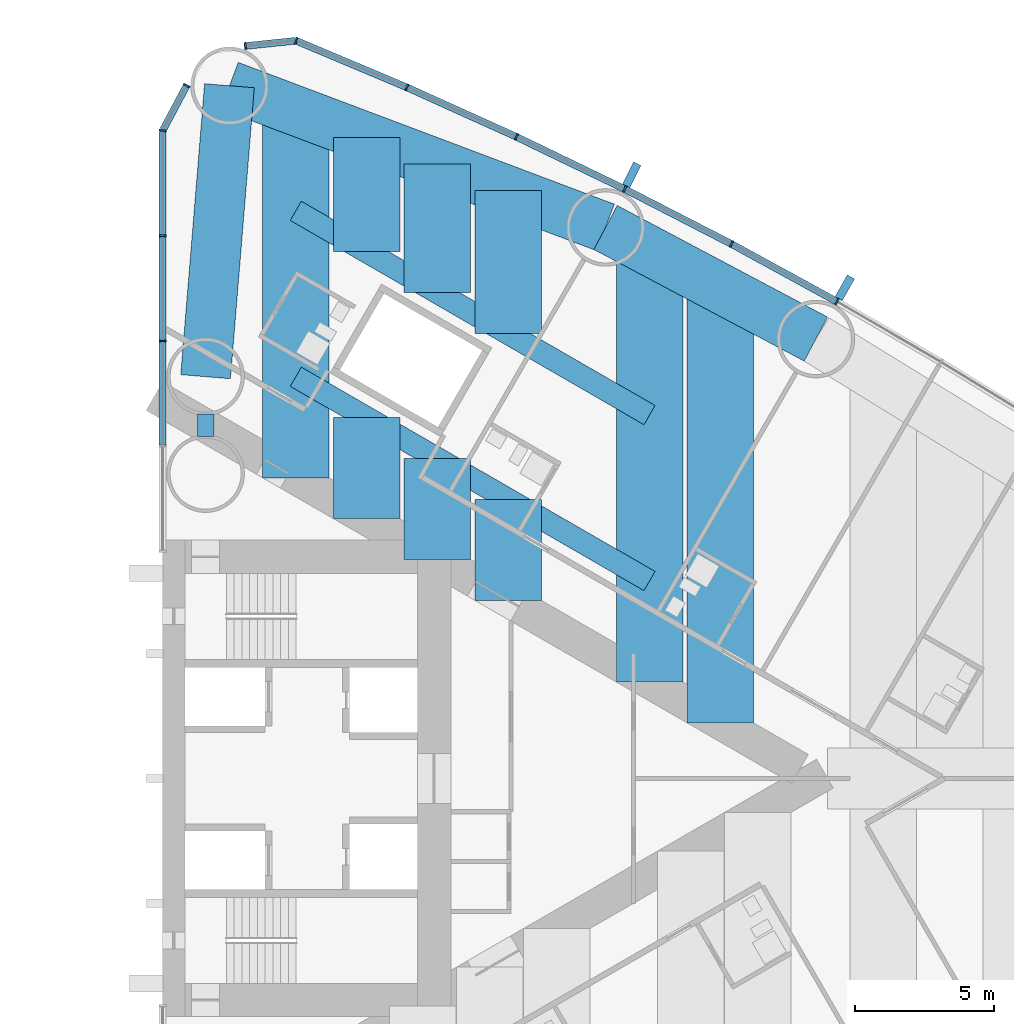
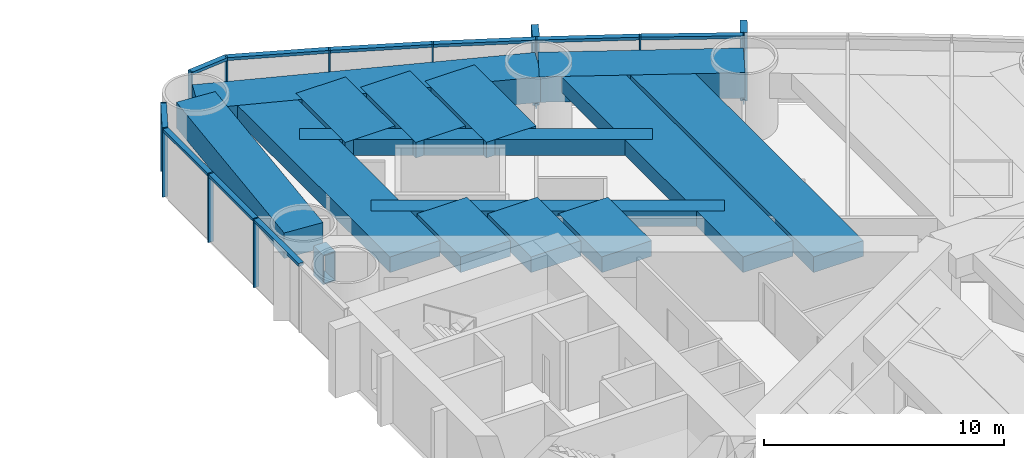
# One storey, part 7 of 19: 23 members, 15 beams, 2 elements without a shape of their own.
"""IFC4 building model written with IfcOpenShell, lengths in metres."""

from ifc_helpers import new_model, si_unit, direction, frame, origin, origin_2d, place, context, subcontext, project, spatial, rectangle, hollow_rectangle, extrude, material, material_profile, profile_set, type_object, element, aggregate, save


model = new_model("IFC4")

# Units and contexts
model_context = context("Model", 3, precision=1e-05, world=origin(), true_north=direction((0.0, 1.0)))
body_context = subcontext(model_context, "Body", "Model", "MODEL_VIEW")
ifc_project = project(units=[si_unit("LENGTHUNIT", "METRE"), si_unit("AREAUNIT", "SQUARE_METRE"), si_unit("VOLUMEUNIT", "CUBIC_METRE"), si_unit("PLANEANGLEUNIT", "RADIAN"), si_unit("MASSUNIT", "GRAM", prefix="KILO")], contexts=[model_context])

# Site, building, storey
site_placement = place(None, origin())
site = spatial("IfcSite", under=ifc_project, at=site_placement, CompositionType="ELEMENT")
building_placement = place(site_placement, origin())
building = spatial("IfcBuilding", under=site, at=building_placement, Name="Lancet Gate Hotel", CompositionType="ELEMENT")
storey_placement = place(building_placement, frame((0.0, 0.0, 70.5)))
storey = spatial("IfcBuildingStorey", under=building, at=storey_placement, Name="L18", CompositionType="ELEMENT", Elevation=70.5)

# Curtain wall, members
ifc_material_1 = material(Name="Aluminium curtain wall", Category="aluminium")
curtain_wall_type = type_object("IfcCurtainWallType", Name="Tower unitised curtain wall", PredefinedType="USERDEFINED", material=ifc_material_1)
curtain_wall_1_placement = place(storey_placement, origin())
curtain_wall_1 = element("IfcCurtainWall", 1, at=curtain_wall_1_placement, inside=storey, type_object=curtain_wall_type, Name="T2 L18 curtain wall 3", ObjectType="UNITISED CURTAIN WALL", PredefinedType="USERDEFINED")
ifc_material_2 = material(Name="Aluminium mullion", Category="aluminium")
ifc_material_profile_1 = material_profile(ifc_material_2, rectangle(XDim=0.06494140625, YDim=0.25, at=origin_2d()), Name="MULLION 65x250")
ifc_profile_set_1 = profile_set([ifc_material_profile_1], Name="Aluminium mullion")
member_type_1 = type_object("IfcMemberType", Name="Aluminium mullion 65x250", PredefinedType="MULLION", material=ifc_profile_set_1)
member_1_placement = place(storey_placement, frame((51.838623046875, 17.208740234375, 0.0), z_axis=(0.0, 0.0, 1.0), x_axis=(-0.871190450382, 0.490945209941, 0.0)))
member_1 = element("IfcMember", 2, at=member_1_placement, type_object=member_type_1, Name="T2 L18 curtain wall 3 mullion 8", PredefinedType="MULLION", context=body_context, shape_type="SweptSolid", body=[
    extrude(rectangle(XDim=0.06494140625, YDim=0.25, at=origin_2d()), origin(), (0.0, 0.0, 1.0), 3.5),
])
member_2_placement = place(storey_placement, frame((48.03271484375, 19.2900390625, 0.0), z_axis=(0.0, 0.0, 1.0), x_axis=(-0.88340346743, 0.468613181347, 0.0)))
member_2 = element("IfcMember", 3, at=member_2_placement, type_object=member_type_1, Name="T2 L18 curtain wall 3 mullion 9", PredefinedType="MULLION", context=body_context, shape_type="SweptSolid", body=[
    extrude(rectangle(XDim=0.06494140625, YDim=0.25, at=origin_2d()), origin(), (0.0, 0.0, 1.0), 3.5),
])
member_3_placement = place(storey_placement, frame((44.17529296875, 21.273681640625, 0.0), z_axis=(0.0, 0.0, 1.0), x_axis=(-0.895044147438, 0.445977548917, 0.0)))
member_3 = element("IfcMember", 4, at=member_3_placement, type_object=member_type_1, Name="T2 L18 curtain wall 3 mullion 10", PredefinedType="MULLION", context=body_context, shape_type="SweptSolid", body=[
    extrude(rectangle(XDim=0.06494140625, YDim=0.25, at=origin_2d()), origin(), (0.0, 0.0, 1.0), 3.5),
])
member_4_placement = place(storey_placement, frame((40.2685546875, 23.15869140625, 0.0), z_axis=(0.0, 0.0, 1.0), x_axis=(-0.906104948671, 0.423052977762, 0.0)))
member_4 = element("IfcMember", 5, at=member_4_placement, type_object=member_type_1, Name="T2 L18 curtain wall 3 mullion 11", PredefinedType="MULLION", context=body_context, shape_type="SweptSolid", body=[
    extrude(rectangle(XDim=0.06494140625, YDim=0.25, at=origin_2d()), origin(), (0.0, 0.0, 1.0), 3.5),
])
member_5_placement = place(storey_placement, frame((36.31494140625, 24.943603515625, 0.0), z_axis=(0.0, 0.0, 1.0), x_axis=(-0.916578705089, 0.399854320193, 0.0)))
member_5 = element("IfcMember", 6, at=member_5_placement, type_object=member_type_1, Name="T2 L18 curtain wall 3 mullion 12", PredefinedType="MULLION", context=body_context, shape_type="SweptSolid", body=[
    extrude(rectangle(XDim=0.06494140625, YDim=0.25, at=origin_2d()), origin(), (0.0, 0.0, 1.0), 3.5),
])
member_6_placement = place(storey_placement, frame((32.3173828125, 26.62744140625, 0.0), z_axis=(0.0, 0.0, 1.0), x_axis=(-0.968721492963, 0.248150496819, 0.0)))
member_6 = element("IfcMember", 7, at=member_6_placement, type_object=member_type_1, Name="T2 L18 curtain wall 3 mullion 13", PredefinedType="MULLION", context=body_context, shape_type="SweptSolid", body=[
    extrude(rectangle(XDim=0.06494140625, YDim=0.25, at=origin_2d()), origin(), (0.0, 0.0, 1.0), 3.5),
])
member_7_placement = place(storey_placement, frame((30.48388671875, 26.4375, 0.0), z_axis=(0.0, 0.0, 1.0), x_axis=(-0.994672262412, -0.10308778001, 0.0)))
member_7 = element("IfcMember", 8, at=member_7_placement, type_object=member_type_1, Name="T2 L18 curtain wall 3 mullion 14", PredefinedType="MULLION", context=body_context, shape_type="SweptSolid", body=[
    extrude(rectangle(XDim=0.06494140625, YDim=0.25, at=origin_2d()), origin(), (0.0, 0.0, 1.0), 3.5),
])

curtain_wall_2_placement = place(storey_placement, origin())
curtain_wall_2 = element("IfcCurtainWall", 9, at=curtain_wall_2_placement, inside=storey, type_object=curtain_wall_type, Name="T2 L18 curtain wall 4", ObjectType="UNITISED CURTAIN WALL", PredefinedType="USERDEFINED")
member_8_placement = place(storey_placement, frame((28.366455078125, 25.012451171875, 0.0), z_axis=(0.0, 0.0, 1.0), x_axis=(-0.469897827284, -0.882720811987, 0.0)))
member_8 = element("IfcMember", 10, at=member_8_placement, type_object=member_type_1, Name="T2 L18 curtain wall 4 mullion 1", PredefinedType="MULLION", context=body_context, shape_type="SweptSolid", body=[
    extrude(rectangle(XDim=0.06494140625, YDim=0.25, at=origin_2d()), origin(), (0.0, 0.0, 1.0), 3.5),
])
member_9_placement = place(storey_placement, frame((27.5, 23.384765625, 0.0), z_axis=(0.0, 0.0, 1.0), x_axis=(-0.157751691459, -0.987478811844, 0.0)))
member_9 = element("IfcMember", 11, at=member_9_placement, type_object=member_type_1, Name="T2 L18 curtain wall 4 mullion 2", PredefinedType="MULLION", context=body_context, shape_type="SweptSolid", body=[
    extrude(rectangle(XDim=0.06494140625, YDim=0.25, at=origin_2d()), origin(), (0.0, 0.0, 1.0), 3.5),
])
member_10_placement = place(storey_placement, frame((27.5, 19.588623046875, 0.0), z_axis=(0.0, 0.0, 1.0), x_axis=(0.0, -1.0, 0.0)))
member_10 = element("IfcMember", 12, at=member_10_placement, type_object=member_type_1, Name="T2 L18 curtain wall 4 mullion 3", PredefinedType="MULLION", context=body_context, shape_type="SweptSolid", body=[
    extrude(rectangle(XDim=0.06494140625, YDim=0.25, at=origin_2d()), origin(), (0.0, 0.0, 1.0), 3.5),
])
member_11_placement = place(storey_placement, frame((27.5, 15.79248046875, 0.0), z_axis=(0.0, 0.0, 1.0), x_axis=(0.0, -1.0, 0.0)))
member_11 = element("IfcMember", 13, at=member_11_placement, type_object=member_type_1, Name="T2 L18 curtain wall 4 mullion 4", PredefinedType="MULLION", context=body_context, shape_type="SweptSolid", body=[
    extrude(rectangle(XDim=0.06494140625, YDim=0.25, at=origin_2d()), origin(), (0.0, 0.0, 1.0), 3.5),
])

# Member
ifc_material_3 = material(Name="Aluminium transom", Category="aluminium")
ifc_material_profile_2 = material_profile(ifc_material_3, rectangle(XDim=0.25, YDim=0.14990234375, at=origin_2d()), Name="TRANSOM 250x150")
ifc_profile_set_2 = profile_set([ifc_material_profile_2], Name="Aluminium transom")
member_type_2 = type_object("IfcMemberType", Name="Aluminium transom 250x150", PredefinedType="USERDEFINED", material=ifc_profile_set_2)
member_12_placement = place(storey_placement, frame((51.81005859375, 17.224365234375, 3.425048828125), z_axis=(-0.877377528879, 0.479800658417, 0.0), x_axis=(-0.479800658417, -0.877377528879, 0.0)))
member_12 = element("IfcMember", 14, at=member_12_placement, type_object=member_type_2, Name="T2 L18 curtain wall 3 transom 8", ObjectType="TRANSOM", PredefinedType="USERDEFINED", context=body_context, shape_type="SweptSolid", body=[
    extrude(rectangle(XDim=0.25, YDim=0.14990234375, at=origin_2d()), origin(), (0.0, 0.0, 1.0), 4.272705078125),
])

member_13_placement = place(storey_placement, frame((48.00390625, 19.304931640625, 3.425048828125), z_axis=(-0.88929576978, 0.457332520002, 0.0), x_axis=(-0.457332520002, -0.88929576978, 0.0)))
member_13 = element("IfcMember", 15, at=member_13_placement, type_object=member_type_2, Name="T2 L18 curtain wall 3 transom 9", ObjectType="TRANSOM", PredefinedType="USERDEFINED", context=body_context, shape_type="SweptSolid", body=[
    extrude(rectangle(XDim=0.25, YDim=0.14990234375, at=origin_2d()), origin(), (0.0, 0.0, 1.0), 4.272705078125),
])

member_14_placement = place(storey_placement, frame((44.14599609375, 21.287841796875, 3.425048828125), z_axis=(-0.900646499888, 0.434552508035, 0.0), x_axis=(-0.434552508035, -0.900646499888, 0.0)))
member_14 = element("IfcMember", 16, at=member_14_placement, type_object=member_type_2, Name="T2 L18 curtain wall 3 transom 10", ObjectType="TRANSOM", PredefinedType="USERDEFINED", context=body_context, shape_type="SweptSolid", body=[
    extrude(rectangle(XDim=0.25, YDim=0.14990234375, at=origin_2d()), origin(), (0.0, 0.0, 1.0), 4.272705078125),
])

member_15_placement = place(storey_placement, frame((40.23876953125, 23.172119140625, 3.425048828125), z_axis=(-0.911396871737, 0.411528543589, 0.0), x_axis=(-0.411528543589, -0.911396871737, 0.0)))
member_15 = element("IfcMember", 17, at=member_15_placement, type_object=member_type_2, Name="T2 L18 curtain wall 3 transom 11", ObjectType="TRANSOM", PredefinedType="USERDEFINED", context=body_context, shape_type="SweptSolid", body=[
    extrude(rectangle(XDim=0.25, YDim=0.14990234375, at=origin_2d()), origin(), (0.0, 0.0, 1.0), 4.272705078125),
])

member_16_placement = place(storey_placement, frame((36.28515625, 24.956298828125, 3.425048828125), z_axis=(-0.92159772617, 0.388146404233, 0.0), x_axis=(-0.388146404233, -0.92159772617, 0.0)))
member_16 = element("IfcMember", 18, at=member_16_placement, type_object=member_type_2, Name="T2 L18 curtain wall 3 transom 12", ObjectType="TRANSOM", PredefinedType="USERDEFINED", context=body_context, shape_type="SweptSolid", body=[
    extrude(rectangle(XDim=0.25, YDim=0.14990234375, at=origin_2d()), origin(), (0.0, 0.0, 1.0), 4.272705078125),
])

member_17_placement = place(storey_placement, frame((32.28515625, 26.6240234375, 3.425048828125), z_axis=(-0.994670452051, -0.103105246306, 0.0), x_axis=(0.103105246306, -0.994670452051, 0.0)))
member_17 = element("IfcMember", 19, at=member_17_placement, type_object=member_type_2, Name="T2 L18 curtain wall 3 transom 13", ObjectType="TRANSOM", PredefinedType="USERDEFINED", context=body_context, shape_type="SweptSolid", body=[
    extrude(rectangle(XDim=0.25, YDim=0.14990234375, at=origin_2d()), origin(), (0.0, 0.0, 1.0), 1.7783203125),
])

member_18_placement = place(storey_placement, frame((28.351318359375, 24.98388671875, 3.425048828125), z_axis=(-0.469904276347, -0.882717378933, 0.0), x_axis=(0.882717378933, -0.469904276347, 0.0)))
member_18 = element("IfcMember", 20, at=member_18_placement, type_object=member_type_2, Name="T2 L18 curtain wall 4 transom 1", ObjectType="TRANSOM", PredefinedType="USERDEFINED", context=body_context, shape_type="SweptSolid", body=[
    extrude(rectangle(XDim=0.25, YDim=0.14990234375, at=origin_2d()), origin(), (0.0, 0.0, 1.0), 1.779052734375),
])

member_19_placement = place(storey_placement, frame((27.5, 23.352294921875, 3.425048828125), z_axis=(0.0, -1.0, 0.0), x_axis=(1.0, 0.0, 0.0)))
member_19 = element("IfcMember", 21, at=member_19_placement, type_object=member_type_2, Name="T2 L18 curtain wall 4 transom 2", ObjectType="TRANSOM", PredefinedType="USERDEFINED", context=body_context, shape_type="SweptSolid", body=[
    extrude(rectangle(XDim=0.25, YDim=0.14990234375, at=origin_2d()), origin(), (0.0, 0.0, 1.0), 3.731201171875),
])

member_20_placement = place(storey_placement, frame((27.5, 19.55615234375, 3.425048828125), z_axis=(0.0, -1.0, 0.0), x_axis=(1.0, 0.0, 0.0)))
member_20 = element("IfcMember", 22, at=member_20_placement, type_object=member_type_2, Name="T2 L18 curtain wall 4 transom 3", ObjectType="TRANSOM", PredefinedType="USERDEFINED", context=body_context, shape_type="SweptSolid", body=[
    extrude(rectangle(XDim=0.25, YDim=0.14990234375, at=origin_2d()), origin(), (0.0, 0.0, 1.0), 3.731201171875),
])

member_21_placement = place(storey_placement, frame((27.5, 15.760009765625, 3.425048828125), z_axis=(0.0, -1.0, 0.0), x_axis=(1.0, 0.0, 0.0)))
member_21 = element("IfcMember", 23, at=member_21_placement, type_object=member_type_2, Name="T2 L18 curtain wall 4 transom 4", ObjectType="TRANSOM", PredefinedType="USERDEFINED", context=body_context, shape_type="SweptSolid", body=[
    extrude(rectangle(XDim=0.25, YDim=0.14990234375, at=origin_2d()), origin(), (0.0, 0.0, 1.0), 3.731201171875),
])

aggregate(curtain_wall_2, [member_8, member_9, member_10, member_11, member_18, member_19, member_20, member_21])

# Beams
ifc_material_4 = material(Name="Concrete C50/60", Category="concrete")
ifc_material_profile_3 = material_profile(ifc_material_4, rectangle(XDim=1.800048828125, YDim=1.300048828125, at=origin_2d()), Name="RC 1800x1300")
ifc_profile_set_3 = profile_set([ifc_material_profile_3], Name="Concrete C50/60")
beam_type_1 = type_object("IfcBeamType", Name="Edge beam RC 1800x1300", PredefinedType="SPANDREL", material=ifc_profile_set_3)
beam_1_placement = place(storey_placement, frame((51.07763671875, 15.8583984375, 2.60009765625), z_axis=(-0.883403493655, 0.46861313191, 0.0), x_axis=(-0.46861313191, -0.883403493655, 0.0)))
element("IfcBeam", 24, at=beam_1_placement, inside=storey, type_object=beam_type_1, Name="T2 edge beam EB1 L18", PredefinedType="SPANDREL", context=body_context, shape_type="SweptSolid", body=[
    extrude(rectangle(XDim=1.800048828125, YDim=1.300048828125, at=origin_2d()), origin(), (0.0, 0.0, 1.0), 8.595703125),
])
beam_2_placement = place(storey_placement, frame((43.484130859375, 19.886474609375, 2.60009765625), z_axis=(-0.935736448066, 0.352700013836, 0.0), x_axis=(-0.352700013836, -0.935736448066, 0.0)))
element("IfcBeam", 25, at=beam_2_placement, inside=storey, type_object=beam_type_1, Name="T2 edge beam EB1 L18", PredefinedType="SPANDREL", context=body_context, shape_type="SweptSolid", body=[
    extrude(rectangle(XDim=1.800048828125, YDim=1.300048828125, at=origin_2d()), origin(), (0.0, 0.0, 1.0), 14.505126953125),
])
beam_3_placement = place(storey_placement, frame((29.050048828125, 14.5, 2.60009765625), z_axis=(0.081714744052, 0.996655758326, 0.0), x_axis=(-0.996655758326, 0.081714744052, 0.0)))
element("IfcBeam", 26, at=beam_3_placement, inside=storey, type_object=beam_type_1, Name="T2 edge beam EB1 L18", PredefinedType="SPANDREL", context=body_context, shape_type="SweptSolid", body=[
    extrude(rectangle(XDim=1.800048828125, YDim=1.300048828125, at=origin_2d()), origin(), (0.0, 0.0, 1.0), 10.53759765625),
])

# Member
ifc_material_5 = material(Name="Precast concrete C50/60", Category="concrete")
ifc_material_profile_4 = material_profile(ifc_material_5, rectangle(XDim=0.300048828125, YDim=0.89990234375, at=origin_2d()), Name="FIN 300x900")
ifc_profile_set_4 = profile_set([ifc_material_profile_4], Name="Precast concrete C50/60")
member_type_3 = type_object("IfcMemberType", Name="Exposed concrete fin 300x900", PredefinedType="USERDEFINED", material=ifc_profile_set_4)
member_22_placement = place(storey_placement, frame((52.120849609375, 17.709716796875, 0.0), z_axis=(0.0, 0.0, 1.0), x_axis=(-0.871190450382, 0.490945209941, 0.0)))
member_22 = element("IfcMember", 27, at=member_22_placement, type_object=member_type_3, Name="T2 L18 curtain wall 3 fin 8", ObjectType="FIN", PredefinedType="USERDEFINED", context=body_context, shape_type="SweptSolid", body=[
    extrude(rectangle(XDim=0.300048828125, YDim=0.89990234375, at=origin_2d()), origin(), (0.0, 0.0, 1.0), 3.5),
])

member_23_placement = place(storey_placement, frame((44.431640625, 21.788330078125, 0.0), z_axis=(0.0, 0.0, 1.0), x_axis=(-0.895044147438, 0.445977548917, 0.0)))
member_23 = element("IfcMember", 28, at=member_23_placement, type_object=member_type_3, Name="T2 L18 curtain wall 3 fin 10", ObjectType="FIN", PredefinedType="USERDEFINED", context=body_context, shape_type="SweptSolid", body=[
    extrude(rectangle(XDim=0.300048828125, YDim=0.89990234375, at=origin_2d()), origin(), (0.0, 0.0, 1.0), 3.5),
])

aggregate(curtain_wall_1, [member_1, member_22, member_2, member_3, member_23, member_4, member_5, member_6, member_7, member_12, member_13, member_14, member_15, member_16, member_17])

# Beams
ifc_material_6 = material(Name="Concrete C50/60", Category="concrete")
ifc_material_profile_5 = material_profile(ifc_material_6, rectangle(XDim=2.39990234375, YDim=0.800048828125, at=origin_2d()), Name="RC 2400x800")
ifc_profile_set_5 = profile_set([ifc_material_profile_5], Name="Concrete C50/60")
beam_type_2 = type_object("IfcBeamType", Name="Floor beam RC 2400x800", PredefinedType="BEAM", material=ifc_profile_set_5)
beam_4_placement = place(storey_placement, frame((32.306396484375, 10.851806640625, 2.85009765625), z_axis=(0.0, 1.0, 0.0), x_axis=(-1.0, 0.0, 0.0)))
element("IfcBeam", 29, at=beam_4_placement, inside=storey, type_object=beam_type_2, Name="T2 floor beam F04N L18", PredefinedType="BEAM", context=body_context, shape_type="SweptSolid", body=[
    extrude(rectangle(XDim=2.39990234375, YDim=0.800048828125, at=origin_2d()), origin(), (0.0, 0.0, 1.0), 13.247802734375),
])
beam_5_placement = place(storey_placement, frame((45.072265625, 3.4814453125, 2.85009765625), z_axis=(0.0, 1.0, 0.0), x_axis=(-1.0, 0.0, 0.0)))
element("IfcBeam", 30, at=beam_5_placement, inside=storey, type_object=beam_type_2, Name="T2 floor beam F12N L18", PredefinedType="BEAM", context=body_context, shape_type="SweptSolid", body=[
    extrude(rectangle(XDim=2.39990234375, YDim=0.800048828125, at=origin_2d()), origin(), (0.0, 0.0, 1.0), 15.5625),
])
beam_6_placement = place(storey_placement, frame((47.62548828125, 2.00732421875, 2.85009765625), z_axis=(0.0, 1.0, 0.0), x_axis=(-1.0, 0.0, 0.0)))
element("IfcBeam", 31, at=beam_6_placement, inside=storey, type_object=beam_type_2, Name="T2 floor beam F14N L18", PredefinedType="BEAM", context=body_context, shape_type="SweptSolid", body=[
    extrude(rectangle(XDim=2.39990234375, YDim=0.800048828125, at=origin_2d()), origin(), (0.0, 0.0, 1.0), 15.68212890625),
])
beam_7_placement = place(storey_placement, frame((34.859619140625, 9.377685546875, 2.85009765625), z_axis=(0.0, 1.0, 0.0), x_axis=(-1.0, 0.0, 0.0)))
element("IfcBeam", 32, at=beam_7_placement, inside=storey, type_object=beam_type_2, Name="T2 floor beam F06NA L18", PredefinedType="BEAM", context=body_context, shape_type="SweptSolid", body=[
    extrude(rectangle(XDim=2.39990234375, YDim=0.800048828125, at=origin_2d()), origin(), (0.0, 0.0, 1.0), 3.645751953125),
])
beam_8_placement = place(storey_placement, frame((34.859619140625, 19.011474609375, 2.85009765625), z_axis=(0.0, 1.0, 0.0), x_axis=(-1.0, 0.0, 0.0)))
element("IfcBeam", 33, at=beam_8_placement, inside=storey, type_object=beam_type_2, Name="T2 floor beam F06NB L18", PredefinedType="BEAM", context=body_context, shape_type="SweptSolid", body=[
    extrude(rectangle(XDim=2.39990234375, YDim=0.800048828125, at=origin_2d()), origin(), (0.0, 0.0, 1.0), 4.125732421875),
])
beam_9_placement = place(storey_placement, frame((37.412841796875, 7.903564453125, 2.85009765625), z_axis=(0.0, 1.0, 0.0), x_axis=(-1.0, 0.0, 0.0)))
element("IfcBeam", 34, at=beam_9_placement, inside=storey, type_object=beam_type_2, Name="T2 floor beam F08NA L18", PredefinedType="BEAM", context=body_context, shape_type="SweptSolid", body=[
    extrude(rectangle(XDim=2.39990234375, YDim=0.800048828125, at=origin_2d()), origin(), (0.0, 0.0, 1.0), 3.6455078125),
])
beam_10_placement = place(storey_placement, frame((37.412841796875, 17.537109375, 2.85009765625), z_axis=(0.0, 1.0, 0.0), x_axis=(-1.0, 0.0, 0.0)))
element("IfcBeam", 35, at=beam_10_placement, inside=storey, type_object=beam_type_2, Name="T2 floor beam F08NB L18", PredefinedType="BEAM", context=body_context, shape_type="SweptSolid", body=[
    extrude(rectangle(XDim=2.39990234375, YDim=0.800048828125, at=origin_2d()), origin(), (0.0, 0.0, 1.0), 4.6376953125),
])
beam_11_placement = place(storey_placement, frame((39.9658203125, 6.429443359375, 2.85009765625), z_axis=(0.0, 1.0, 0.0), x_axis=(-1.0, 0.0, 0.0)))
element("IfcBeam", 36, at=beam_11_placement, inside=storey, type_object=beam_type_2, Name="T2 floor beam F10NA L18", PredefinedType="BEAM", context=body_context, shape_type="SweptSolid", body=[
    extrude(rectangle(XDim=2.39990234375, YDim=0.800048828125, at=origin_2d()), origin(), (0.0, 0.0, 1.0), 3.64501953125),
])
beam_12_placement = place(storey_placement, frame((39.9658203125, 16.062744140625, 2.85009765625), z_axis=(0.0, 1.0, 0.0), x_axis=(-1.0, 0.0, 0.0)))
element("IfcBeam", 37, at=beam_12_placement, inside=storey, type_object=beam_type_2, Name="T2 floor beam F10NB L18", PredefinedType="BEAM", context=body_context, shape_type="SweptSolid", body=[
    extrude(rectangle(XDim=2.39990234375, YDim=0.800048828125, at=origin_2d()), origin(), (0.0, 0.0, 1.0), 5.14990234375),
])
ifc_material_7 = material(Name="Steel S460QL", Category="steel")
ifc_material_profile_6 = material_profile(ifc_material_7, hollow_rectangle(XDim=0.60009765625, YDim=1.5, WallThickness=0.050048828125, at=origin_2d()), Name="BOX 1500x600x50")
ifc_profile_set_6 = profile_set([ifc_material_profile_6], Name="Steel S460QL")
beam_type_3 = type_object("IfcBeamType", Name="Inner-face link beam BOX 1500x600x50", PredefinedType="BEAM", material=ifc_profile_set_6)
beam_13_placement = place(storey_placement, frame((29.050048828125, 12.35009765625, 2.5), z_axis=(0.0, 1.0, 0.0), x_axis=(-1.0, 0.0, 0.0)))
element("IfcBeam", 38, at=beam_13_placement, inside=storey, type_object=beam_type_3, Name="T2 inner-face link beam LK1 L18", PredefinedType="BEAM", context=body_context, shape_type="SweptSolid", body=[
    extrude(hollow_rectangle(XDim=0.60009765625, YDim=1.5, WallThickness=0.050048828125, at=origin_2d()), origin(), (0.0, 0.0, 1.0), 0.7998046875),
])
ifc_material_8 = material(Name="Steel S460QL", Category="steel")
ifc_material_profile_7 = material_profile(ifc_material_8, hollow_rectangle(XDim=0.800048828125, YDim=0.800048828125, WallThickness=0.080078125, at=origin_2d()), Name="BOX 800x800x80")
ifc_profile_set_7 = profile_set([ifc_material_profile_7], Name="Steel S460QL")
beam_type_4 = type_object("IfcBeamType", Name="Trimmer beam BOX 800x800x80", PredefinedType="BEAM", material=ifc_profile_set_7)
beam_14_placement = place(storey_placement, frame((32.306396484375, 20.48583984375, 2.85009765625), z_axis=(0.86598286195, -0.500073677381, 0.0), x_axis=(0.500073677381, 0.86598286195, 0.0)))
element("IfcBeam", 39, at=beam_14_placement, inside=storey, type_object=beam_type_4, Name="T2 trimmer beam TR03N L18", PredefinedType="BEAM", context=body_context, shape_type="SweptSolid", body=[
    extrude(hollow_rectangle(XDim=0.800048828125, YDim=0.800048828125, WallThickness=0.080078125, at=origin_2d()), origin(), (0.0, 0.0, 1.0), 14.741455078125),
])
beam_15_placement = place(storey_placement, frame((32.306396484375, 14.497802734375, 2.85009765625), z_axis=(0.865975689888, -0.500086097111, 0.0), x_axis=(0.500086097111, 0.865975689888, 0.0)))
element("IfcBeam", 40, at=beam_15_placement, inside=storey, type_object=beam_type_4, Name="T2 trimmer beam TR04N L18", PredefinedType="BEAM", context=body_context, shape_type="SweptSolid", body=[
    extrude(hollow_rectangle(XDim=0.800048828125, YDim=0.800048828125, WallThickness=0.080078125, at=origin_2d()), origin(), (0.0, 0.0, 1.0), 14.74169921875),
])

save(model, "model.ifc")
